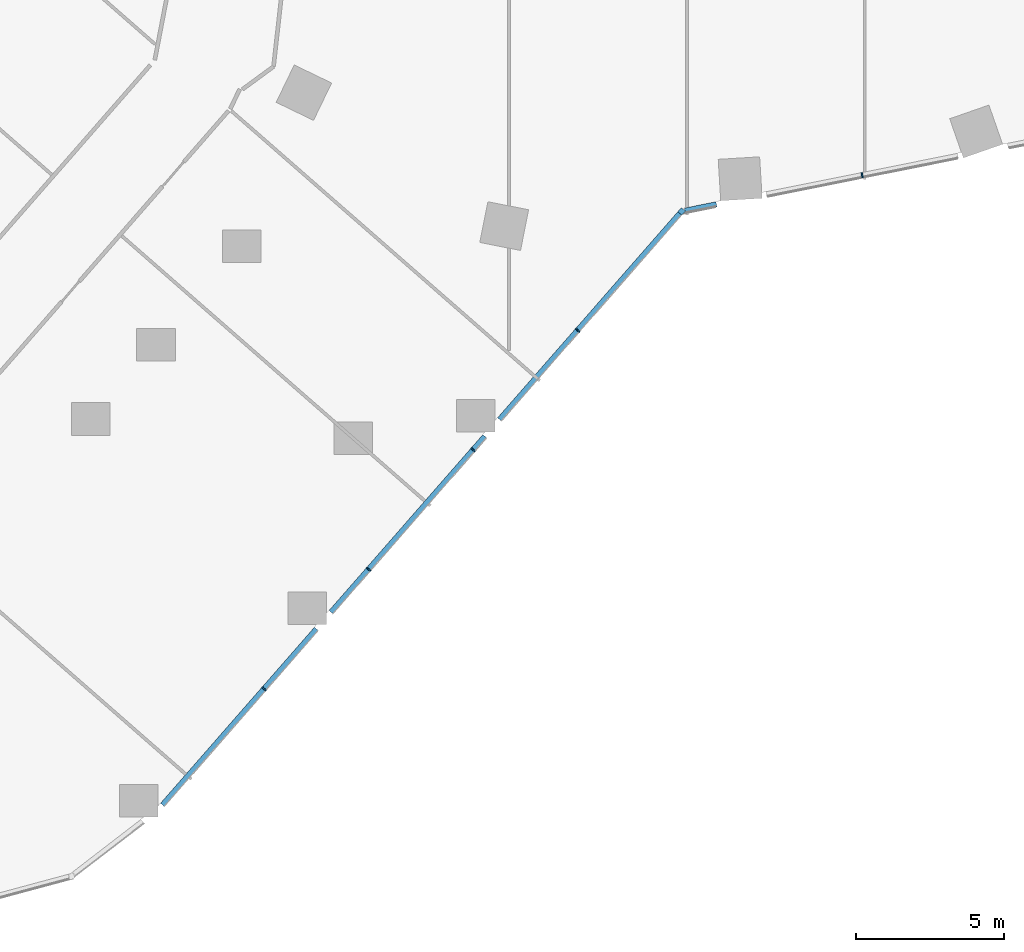
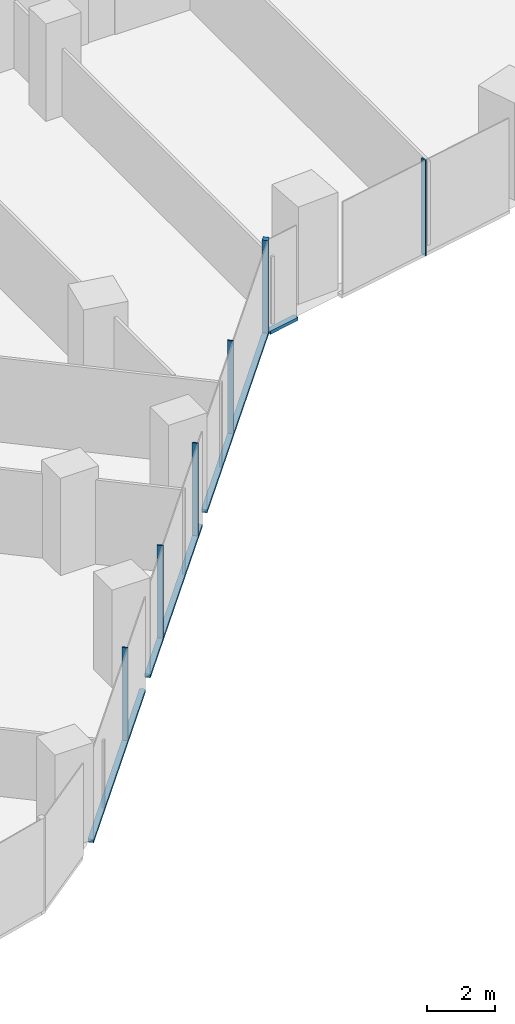
# One storey, part 4 of 38: 10 members, 2 elements without a shape of their own.
"""IFC4 building model written with IfcOpenShell, lengths in metres."""

from ifc_helpers import new_model, si_unit, direction, frame, origin, origin_2d, place, context, subcontext, project, spatial, rectangle, extrude, material, material_profile, profile_set, type_object, element, aggregate, save


model = new_model("IFC4")

# Units and contexts
model_context = context("Model", 3, precision=1e-05, world=origin(), true_north=direction((0.0, 1.0)))
body_context = subcontext(model_context, "Body", "Model", "MODEL_VIEW")
ifc_project = project(units=[si_unit("LENGTHUNIT", "METRE"), si_unit("AREAUNIT", "SQUARE_METRE"), si_unit("VOLUMEUNIT", "CUBIC_METRE"), si_unit("PLANEANGLEUNIT", "RADIAN"), si_unit("MASSUNIT", "GRAM", prefix="KILO")], contexts=[model_context])

# Site, building, storey
site_placement = place(None, origin())
site = spatial("IfcSite", under=ifc_project, at=site_placement, CompositionType="ELEMENT")
building_placement = place(site_placement, origin())
building = spatial("IfcBuilding", under=site, at=building_placement, Name="Orlundy Tower", CompositionType="ELEMENT")
storey_placement = place(building_placement, frame((0.0, 0.0, 72.800048828125)))
storey = spatial("IfcBuildingStorey", under=building, at=storey_placement, Name="L17", CompositionType="ELEMENT", Elevation=72.800048828125)

# Curtain wall, member
ifc_material_1 = material(Name="Aluminium bronze anodised", Category="aluminium")
curtain_wall_type = type_object("IfcCurtainWallType", Name="CW1 wall", PredefinedType="NOTDEFINED", material=ifc_material_1)
curtain_wall_1_placement = place(storey_placement, origin())
curtain_wall_1 = element("IfcCurtainWall", 1, at=curtain_wall_1_placement, inside=storey, type_object=curtain_wall_type, Name="CW1 run 02", PredefinedType="NOTDEFINED")
ifc_material_2 = material(Name="Aluminium bronze anodised", Category="aluminium")
ifc_material_profile_1 = material_profile(ifc_material_2, rectangle(XDim=0.179931640625, YDim=0.179931640625, at=origin_2d()), Name="CW1 corner post 180x180")
ifc_profile_set_1 = profile_set([ifc_material_profile_1], Name="Aluminium bronze anodised")
member_type_1 = type_object("IfcMemberType", Name="CW1 corner post 180x180", PredefinedType="MULLION", material=ifc_profile_set_1)
member_1_placement = place(storey_placement, frame((-0.178466796875, -30.72412109375, -0.400146484375), z_axis=(0.0, 0.0, 1.0), x_axis=(0.752791745563, -0.658258754452, 0.0)))
member_1 = element("IfcMember", 2, at=member_1_placement, type_object=member_type_1, Name="CW1 mullion 9", PredefinedType="MULLION", context=body_context, shape_type="SweptSolid", body=[
    extrude(rectangle(XDim=0.179931640625, YDim=0.179931640625, at=origin_2d()), origin(), (0.0, 0.0, 1.0), 3.4501953125),
])

curtain_wall_2_placement = place(storey_placement, origin())
curtain_wall_2 = element("IfcCurtainWall", 3, at=curtain_wall_2_placement, inside=storey, type_object=curtain_wall_type, Name="CW1 run 01", PredefinedType="NOTDEFINED")
ifc_material_3 = material(Name="Aluminium bronze anodised", Category="aluminium")
ifc_material_profile_2 = material_profile(ifc_material_3, rectangle(XDim=0.179931640625, YDim=0.050048828125, at=origin_2d()), Name="CW1 mullion 50x180")
ifc_profile_set_2 = profile_set([ifc_material_profile_2], Name="Aluminium bronze anodised")
member_type_2 = type_object("IfcMemberType", Name="CW1 mullion 50x180", PredefinedType="MULLION", material=ifc_profile_set_2)
member_2_placement = place(storey_placement, frame((5.9130859375, -29.503173828125, -0.400146484375), z_axis=(0.0, 0.0, 1.0), x_axis=(0.196531950572, -0.980497420907, 0.0)))
member_2 = element("IfcMember", 4, at=member_2_placement, type_object=member_type_2, Name="CW1 mullion 8", PredefinedType="MULLION", context=body_context, shape_type="SweptSolid", body=[
    extrude(rectangle(XDim=0.179931640625, YDim=0.050048828125, at=origin_2d()), origin(), (0.0, 0.0, 1.0), 3.4501953125),
])

# Member
member_3_placement = place(storey_placement, frame((-3.6845703125, -34.73388671875, -0.400146484375), z_axis=(0.0, 0.0, 1.0), x_axis=(0.752791745563, -0.658258754452, 0.0)))
member_3 = element("IfcMember", 5, at=member_3_placement, type_object=member_type_2, Name="CW1 mullion 10", PredefinedType="MULLION", context=body_context, shape_type="SweptSolid", body=[
    extrude(rectangle(XDim=0.179931640625, YDim=0.050048828125, at=origin_2d()), origin(), (0.0, 0.0, 1.0), 3.4501953125),
])

member_4_placement = place(storey_placement, frame((-7.210693359375, -38.766357421875, -0.400146484375), z_axis=(0.0, 0.0, 1.0), x_axis=(0.752791745563, -0.658258754452, 0.0)))
member_4 = element("IfcMember", 6, at=member_4_placement, type_object=member_type_2, Name="CW1 mullion 11", PredefinedType="MULLION", context=body_context, shape_type="SweptSolid", body=[
    extrude(rectangle(XDim=0.179931640625, YDim=0.050048828125, at=origin_2d()), origin(), (0.0, 0.0, 1.0), 3.4501953125),
])

member_5_placement = place(storey_placement, frame((-10.73681640625, -42.799072265625, -0.400146484375), z_axis=(0.0, 0.0, 1.0), x_axis=(0.752791745563, -0.658258754452, 0.0)))
member_5 = element("IfcMember", 7, at=member_5_placement, type_object=member_type_2, Name="CW1 mullion 12", PredefinedType="MULLION", context=body_context, shape_type="SweptSolid", body=[
    extrude(rectangle(XDim=0.179931640625, YDim=0.050048828125, at=origin_2d()), origin(), (0.0, 0.0, 1.0), 3.4501953125),
])

member_6_placement = place(storey_placement, frame((-14.262939453125, -46.83154296875, -0.400146484375), z_axis=(0.0, 0.0, 1.0), x_axis=(0.752791745563, -0.658258754452, 0.0)))
member_6 = element("IfcMember", 8, at=member_6_placement, type_object=member_type_2, Name="CW1 mullion 13", PredefinedType="MULLION", context=body_context, shape_type="SweptSolid", body=[
    extrude(rectangle(XDim=0.179931640625, YDim=0.050048828125, at=origin_2d()), origin(), (0.0, 0.0, 1.0), 3.4501953125),
])

ifc_material_4 = material(Name="Aluminium bronze anodised", Category="aluminium")
ifc_material_profile_3 = material_profile(ifc_material_4, rectangle(XDim=0.179931640625, YDim=0.1201171875, at=origin_2d()), Name="CW1 transom 180x120")
ifc_profile_set_3 = profile_set([ifc_material_profile_3], Name="Aluminium bronze anodised")
member_type_3 = type_object("IfcMemberType", Name="CW1 transom 180x120", PredefinedType="USERDEFINED", material=ifc_profile_set_3)
member_7_placement = place(storey_placement, frame((0.997802734375, -30.488525390625, -0.340087890625), z_axis=(-0.980511450145, -0.196461945765, 0.0), x_axis=(0.196461945765, -0.980511450145, 0.0)))
member_7 = element("IfcMember", 9, at=member_7_placement, type_object=member_type_3, Name="CW1 transom", ObjectType="TRANSOM", PredefinedType="USERDEFINED", context=body_context, shape_type="SweptSolid", body=[
    extrude(rectangle(XDim=0.179931640625, YDim=0.1201171875, at=origin_2d()), origin(), (0.0, 0.0, 1.0), 1.086181640625),
])

aggregate(curtain_wall_2, [member_2, member_7])

member_8_placement = place(storey_placement, frame((-0.237548828125, -30.7919921875, -0.340087890625), z_axis=(-0.658268809442, -0.752782953125, 0.0), x_axis=(0.752782953125, -0.658268809442, 0.0)))
member_8 = element("IfcMember", 10, at=member_8_placement, type_object=member_type_3, Name="CW1 transom", ObjectType="TRANSOM", PredefinedType="USERDEFINED", context=body_context, shape_type="SweptSolid", body=[
    extrude(rectangle(XDim=0.179931640625, YDim=0.1201171875, at=origin_2d()), origin(), (0.0, 0.0, 1.0), 9.2373046875),
])

member_9_placement = place(storey_placement, frame((-6.813232421875, -38.31201171875, -0.340087890625), z_axis=(-0.658267711091, -0.752783913573, 0.0), x_axis=(0.752783913573, -0.658267711091, 0.0)))
member_9 = element("IfcMember", 11, at=member_9_placement, type_object=member_type_3, Name="CW1 transom", ObjectType="TRANSOM", PredefinedType="USERDEFINED", context=body_context, shape_type="SweptSolid", body=[
    extrude(rectangle(XDim=0.179931640625, YDim=0.1201171875, at=origin_2d()), origin(), (0.0, 0.0, 1.0), 7.880859375),
])

member_10_placement = place(storey_placement, frame((-12.4970703125, -44.81201171875, -0.340087890625), z_axis=(-0.65825685111, -0.752793409885, 0.0), x_axis=(0.752793409885, -0.65825685111, 0.0)))
member_10 = element("IfcMember", 12, at=member_10_placement, type_object=member_type_3, Name="CW1 transom", ObjectType="TRANSOM", PredefinedType="USERDEFINED", context=body_context, shape_type="SweptSolid", body=[
    extrude(rectangle(XDim=0.179931640625, YDim=0.1201171875, at=origin_2d()), origin(), (0.0, 0.0, 1.0), 7.88427734375),
])

aggregate(curtain_wall_1, [member_1, member_3, member_4, member_5, member_6, member_8, member_9, member_10])

save(model, "model.ifc")
